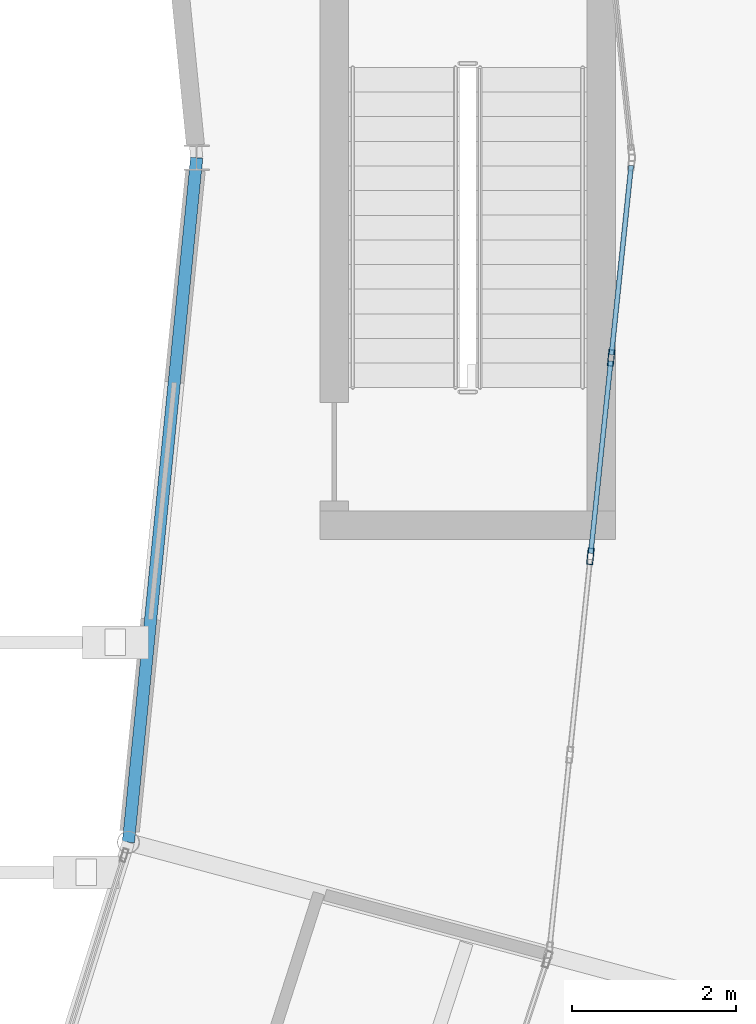
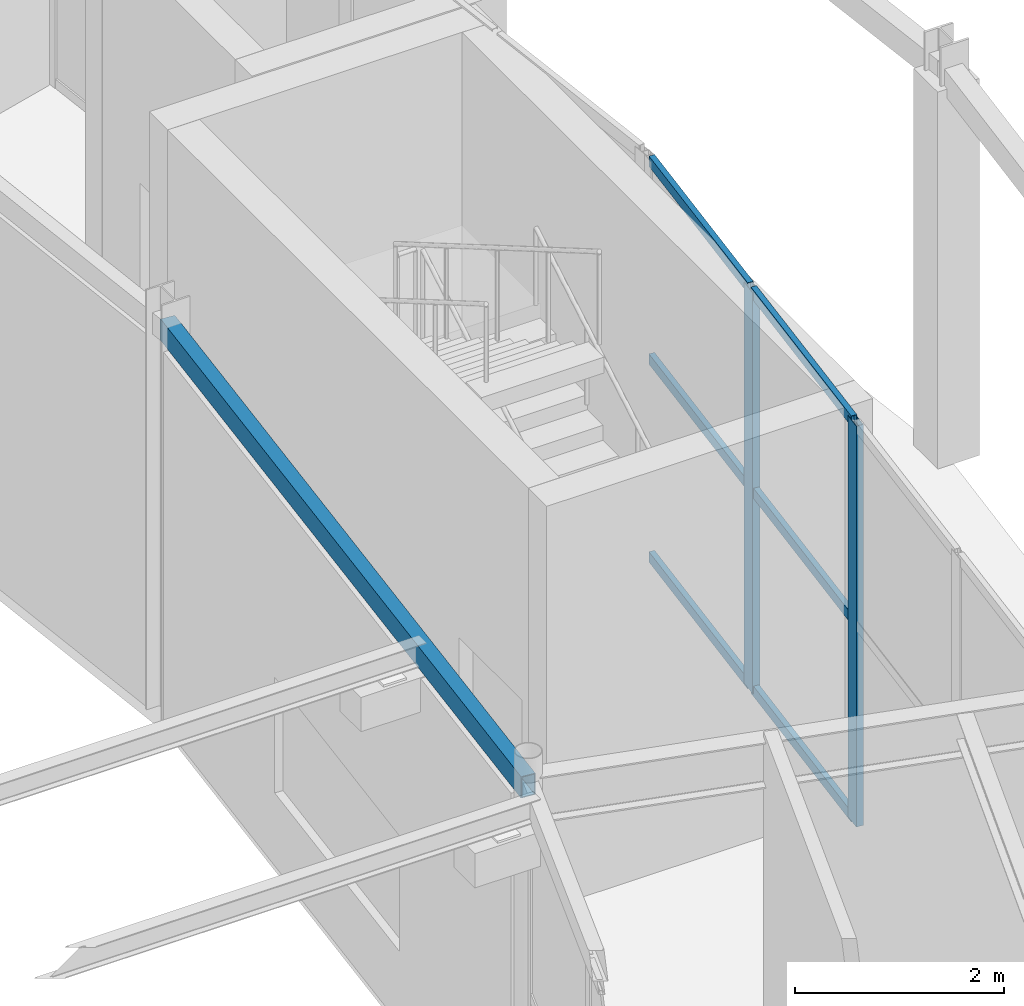
# One storey, part 65 of 144: 8 members, 1 beam, 1 element without a shape of its own.
"""IFC4 building model written with IfcOpenShell, lengths in metres."""

from ifc_helpers import new_model, si_unit, direction, frame, origin, origin_2d, place, context, subcontext, project, spatial, hollow_rectangle, extrude, material, material_profile, profile_set, type_object, element, aggregate, save


model = new_model("IFC4")

# Units and contexts
model_context = context("Model", 3, precision=1e-05, world=origin(), true_north=direction((0.0, 1.0)))
body_context = subcontext(model_context, "Body", "Model", "MODEL_VIEW")
ifc_project = project(units=[si_unit("LENGTHUNIT", "METRE"), si_unit("AREAUNIT", "SQUARE_METRE"), si_unit("VOLUMEUNIT", "CUBIC_METRE"), si_unit("PLANEANGLEUNIT", "RADIAN"), si_unit("MASSUNIT", "GRAM", prefix="KILO")], contexts=[model_context])

# Site, building, storey
site_placement = place(None, origin())
site = spatial("IfcSite", under=ifc_project, at=site_placement, CompositionType="ELEMENT")
building_placement = place(site_placement, origin())
building = spatial("IfcBuilding", under=site, at=building_placement, Name="Karori Crest Natural Sciences Institute", CompositionType="ELEMENT")
storey_placement = place(building_placement, origin())
storey = spatial("IfcBuildingStorey", under=building, at=storey_placement, Name="L00", CompositionType="ELEMENT", Elevation=0.0)

# Beam
ifc_material_1 = material(Name="Hollow structural steel AS/NZS 1163 Grade C350", Category="steel")
ifc_material_profile_1 = material_profile(ifc_material_1, hollow_rectangle(XDim=0.14990234375, YDim=0.25, WallThickness=0.009033203125, at=origin_2d()), Name="RHS250x150x9")
ifc_profile_set_1 = profile_set([ifc_material_profile_1], Name="Hollow structural steel AS/NZS 1163 Grade C350")
beam_type = type_object("IfcBeamType", Name="BT-16", PredefinedType="SPANDREL", material=ifc_profile_set_1)
beam_placement = place(storey_placement, frame((89.968505859375, 41.56591796875, 4.489990234375), z_axis=(0.099284371237, 0.99505910057, 0.0), x_axis=(-0.99505910057, 0.099284371237, 0.0)))
element("IfcBeam", 1, at=beam_placement, inside=storey, type_object=beam_type, Name="Beam B-0179", PredefinedType="SPANDREL", context=body_context, shape_type="SweptSolid", body=[
    extrude(hollow_rectangle(XDim=0.14990234375, YDim=0.25, WallThickness=0.009033203125, at=origin_2d()), origin(), (0.0, 0.0, 1.0), 8.37548828125),
])

# Curtain wall, members
ifc_material_2 = material(Name="Anodised architectural aluminium 6063-T6", Category="aluminium")
curtain_wall_type = type_object("IfcCurtainWallType", Name="CWT-04", PredefinedType="NOTDEFINED", material=ifc_material_2)
curtain_wall_placement = place(storey_placement, origin())
curtain_wall = element("IfcCurtainWall", 2, at=curtain_wall_placement, inside=storey, type_object=curtain_wall_type, Name="Curtain wall CW-0030", PredefinedType="NOTDEFINED")
ifc_material_profile_2 = material_profile(ifc_material_2, hollow_rectangle(XDim=0.074951171875, YDim=0.199951171875, WallThickness=0.0048828125, at=origin_2d()), Name="CWM200x75x5")
ifc_profile_set_2 = profile_set([ifc_material_profile_2], Name="Anodised architectural aluminium 6063-T6")
member_type_1 = type_object("IfcMemberType", Name="CWM-02", PredefinedType="MULLION", material=ifc_profile_set_2)
member_1_placement = place(storey_placement, frame((95.845947265625, 47.463623046875, 0.0), z_axis=(0.0, 0.0, 1.0), x_axis=(0.994608485589, -0.103701303727, 0.0)))
member_1 = element("IfcMember", 3, at=member_1_placement, type_object=member_type_1, Name="CW-0030 mullion 2", PredefinedType="MULLION", context=body_context, shape_type="SweptSolid", body=[
    extrude(hollow_rectangle(XDim=0.074951171875, YDim=0.199951171875, WallThickness=0.0048828125, at=origin_2d()), origin(), (0.0, 0.0, 1.0), 4.679931640625),
])
member_2_placement = place(storey_placement, frame((95.593994140625, 45.047119140625, 0.0), z_axis=(0.0, 0.0, 1.0), x_axis=(0.994608485589, -0.103701303727, 0.0)))
member_2 = element("IfcMember", 4, at=member_2_placement, type_object=member_type_1, Name="CW-0030 mullion 3", PredefinedType="MULLION", context=body_context, shape_type="SweptSolid", body=[
    extrude(hollow_rectangle(XDim=0.074951171875, YDim=0.199951171875, WallThickness=0.0048828125, at=origin_2d()), origin(), (0.0, 0.0, 1.0), 4.679931640625),
])
ifc_material_profile_3 = material_profile(ifc_material_2, hollow_rectangle(XDim=0.06005859375, YDim=0.1201171875, WallThickness=0.00390625, at=origin_2d()), Name="CWT120x60x4")
ifc_profile_set_3 = profile_set([ifc_material_profile_3], Name="Anodised architectural aluminium 6063-T6")
member_type_2 = type_object("IfcMemberType", Name="CWT-TR1", PredefinedType="USERDEFINED", material=ifc_profile_set_3)
member_3_placement = place(storey_placement, frame((96.090087890625, 49.805419921875, 0.030029296875), z_axis=(-0.103686436593, -0.994610035575, 0.0), x_axis=(0.994610035575, -0.103686436593, 0.0)))
member_3 = element("IfcMember", 5, at=member_3_placement, type_object=member_type_2, Name="CW-0030 transom 1.1", ObjectType="TRANSOM", PredefinedType="USERDEFINED", context=body_context, shape_type="SweptSolid", body=[
    extrude(hollow_rectangle(XDim=0.06005859375, YDim=0.1201171875, WallThickness=0.00390625, at=origin_2d()), origin(), (0.0, 0.0, 1.0), 2.31689453125),
])
member_4_placement = place(storey_placement, frame((96.090087890625, 49.805419921875, 2.340087890625), z_axis=(-0.103686436593, -0.994610035575, 0.0), x_axis=(0.994610035575, -0.103686436593, 0.0)))
member_4 = element("IfcMember", 6, at=member_4_placement, type_object=member_type_2, Name="CW-0030 transom 1.2", ObjectType="TRANSOM", PredefinedType="USERDEFINED", context=body_context, shape_type="SweptSolid", body=[
    extrude(hollow_rectangle(XDim=0.06005859375, YDim=0.1201171875, WallThickness=0.00390625, at=origin_2d()), origin(), (0.0, 0.0, 1.0), 2.31689453125),
])
member_5_placement = place(storey_placement, frame((96.090087890625, 49.805419921875, 4.64990234375), z_axis=(-0.103686436593, -0.994610035575, 0.0), x_axis=(0.994610035575, -0.103686436593, 0.0)))
member_5 = element("IfcMember", 7, at=member_5_placement, type_object=member_type_2, Name="CW-0030 transom 1.3", ObjectType="TRANSOM", PredefinedType="USERDEFINED", context=body_context, shape_type="SweptSolid", body=[
    extrude(hollow_rectangle(XDim=0.06005859375, YDim=0.1201171875, WallThickness=0.00390625, at=origin_2d()), origin(), (0.0, 0.0, 1.0), 2.31689453125),
])
member_6_placement = place(storey_placement, frame((95.842041015625, 47.42626953125, 0.030029296875), z_axis=(-0.103691565975, -0.994609500832, 0.0), x_axis=(0.994609500832, -0.103691565975, 0.0)))
member_6 = element("IfcMember", 8, at=member_6_placement, type_object=member_type_2, Name="CW-0030 transom 2.1", ObjectType="TRANSOM", PredefinedType="USERDEFINED", context=body_context, shape_type="SweptSolid", body=[
    extrude(hollow_rectangle(XDim=0.06005859375, YDim=0.1201171875, WallThickness=0.00390625, at=origin_2d()), origin(), (0.0, 0.0, 1.0), 2.3544921875),
])
member_7_placement = place(storey_placement, frame((95.842041015625, 47.42626953125, 2.340087890625), z_axis=(-0.103691565975, -0.994609500832, 0.0), x_axis=(0.994609500832, -0.103691565975, 0.0)))
member_7 = element("IfcMember", 9, at=member_7_placement, type_object=member_type_2, Name="CW-0030 transom 2.2", ObjectType="TRANSOM", PredefinedType="USERDEFINED", context=body_context, shape_type="SweptSolid", body=[
    extrude(hollow_rectangle(XDim=0.06005859375, YDim=0.1201171875, WallThickness=0.00390625, at=origin_2d()), origin(), (0.0, 0.0, 1.0), 2.3544921875),
])
member_8_placement = place(storey_placement, frame((95.842041015625, 47.42626953125, 4.64990234375), z_axis=(-0.103691565975, -0.994609500832, 0.0), x_axis=(0.994609500832, -0.103691565975, 0.0)))
member_8 = element("IfcMember", 10, at=member_8_placement, type_object=member_type_2, Name="CW-0030 transom 2.3", ObjectType="TRANSOM", PredefinedType="USERDEFINED", context=body_context, shape_type="SweptSolid", body=[
    extrude(hollow_rectangle(XDim=0.06005859375, YDim=0.1201171875, WallThickness=0.00390625, at=origin_2d()), origin(), (0.0, 0.0, 1.0), 2.3544921875),
])
aggregate(curtain_wall, [member_1, member_2, member_3, member_4, member_5, member_6, member_7, member_8])

save(model, "model.ifc")
